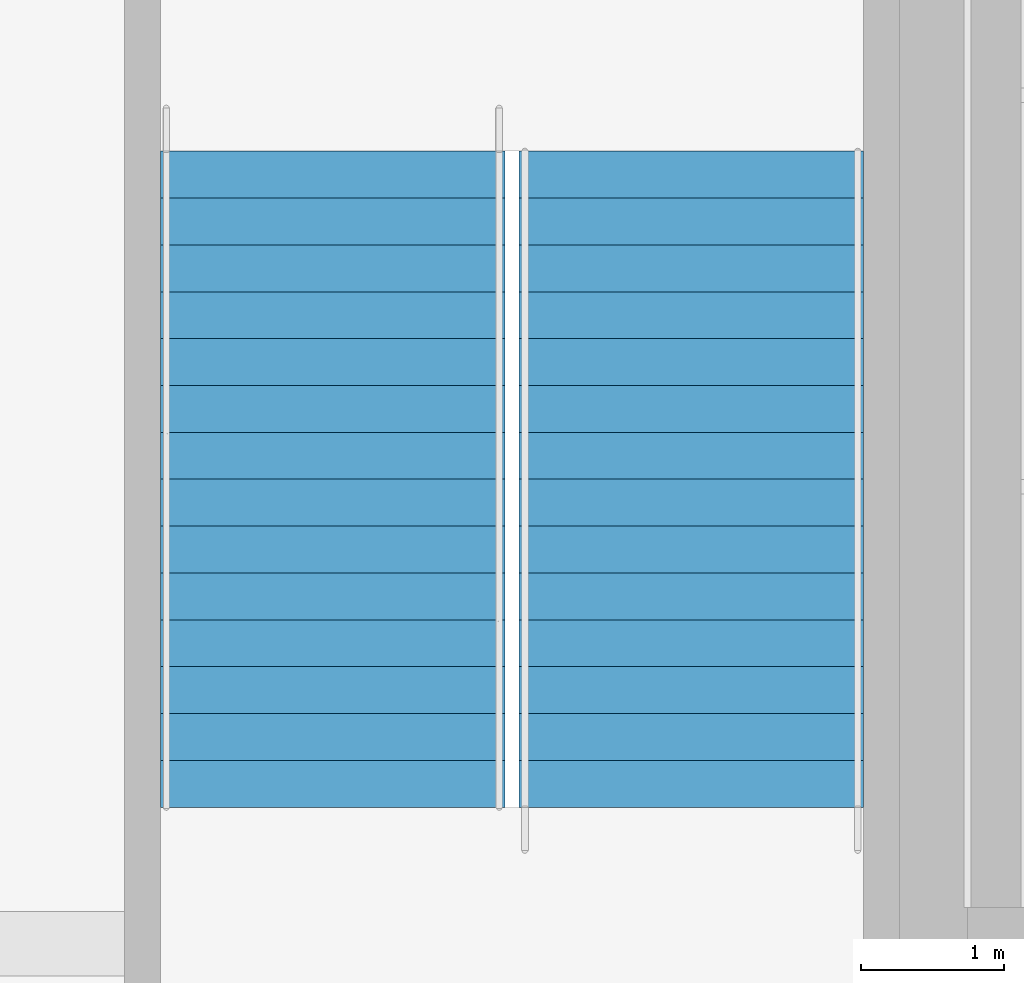
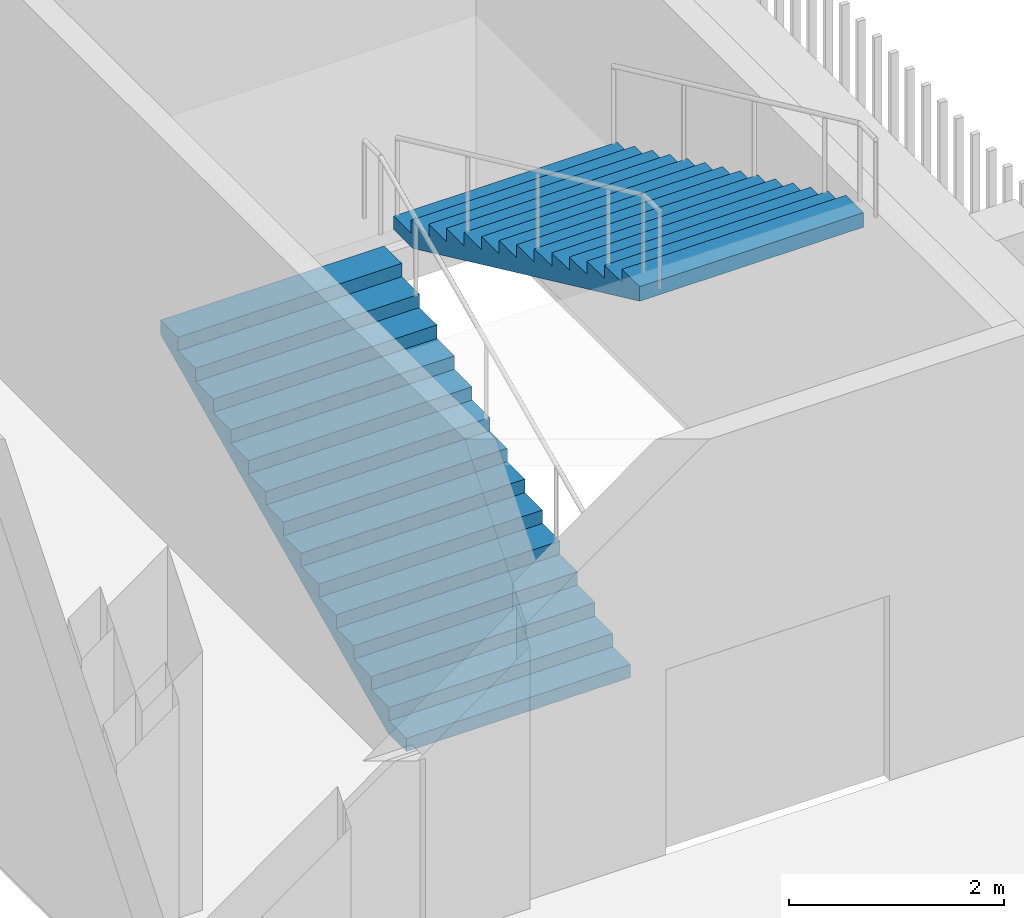
# One storey, part 71 of 104: 2 stair flights, 1 element without a shape of its own.
"""IFC4 building model written with IfcOpenShell, lengths in metres."""

from ifc_helpers import new_model, si_unit, direction, frame, origin, place, context, subcontext, project, spatial, polyline, outline, extrude, material, type_object, element, aggregate, save


model = new_model("IFC4")

# Units and contexts
model_context = context("Model", 3, precision=1e-05, world=origin(), true_north=direction((0.0, 1.0)))
body_context = subcontext(model_context, "Body", "Model", "MODEL_VIEW")
ifc_project = project(units=[si_unit("LENGTHUNIT", "METRE"), si_unit("AREAUNIT", "SQUARE_METRE"), si_unit("VOLUMEUNIT", "CUBIC_METRE"), si_unit("PLANEANGLEUNIT", "RADIAN"), si_unit("MASSUNIT", "GRAM", prefix="KILO")], contexts=[model_context])

# Site, building, storey
site_placement = place(None, origin())
site = spatial("IfcSite", under=ifc_project, at=site_placement, CompositionType="ELEMENT")
building_placement = place(site_placement, origin())
building = spatial("IfcBuilding", under=site, at=building_placement, Name="Shirokan Park Arena", CompositionType="ELEMENT")
storey_placement = place(building_placement, frame((0.0, 0.0, 10.919921875)))
storey = spatial("IfcBuildingStorey", under=building, at=storey_placement, Name="L02", CompositionType="ELEMENT", Elevation=10.919921875)

# Stair, stair flights
ifc_material = material(Name="Concrete C30 precast", Category="concrete")
stair_type = type_object("IfcStairType", Name="Stair 30 risers 152 x 327 2400 wide", PredefinedType="TWO_STRAIGHT_RUN_STAIR", material=ifc_material)
stair_placement = place(storey_placement, origin())
stair = element("IfcStair", 1, at=stair_placement, inside=storey, type_object=stair_type, Name="Exit Stair 3.A L02 to L03", PredefinedType="TWO_STRAIGHT_RUN_STAIR")
stair_flight_type = type_object("IfcStairFlightType", Name="Stair flight 15 risers 152 x 327 2400 wide", PredefinedType="STRAIGHT", material=ifc_material)
stair_flight_1_placement = place(storey_placement, frame((140.949951171875, 101.050048828125, 0.0), z_axis=(0.0, 0.0, 1.0), x_axis=(0.0, 1.0, 0.0)))
stair_flight_1 = element("IfcStairFlight", 2, at=stair_flight_1_placement, type_object=stair_flight_type, Name="ST16.3 flight 1", NumberOfRisers=15, NumberOfTreads=14, PredefinedType="STRAIGHT", RiserHeight=0.151666667, TreadLength=0.3267, context=body_context, shape_type="SweptSolid", body=[
    extrude(outline(polyline([(0.0, 0.0), (0.0, 0.151611328125), (0.32666015625, 0.151611328125), (0.32666015625, 0.30322265625), (0.6533203125, 0.30322265625), (0.6533203125, 0.455078125), (0.97998046875, 0.455078125), (0.97998046875, 0.606689453125), (1.306884765625, 0.606689453125), (1.306884765625, 0.75830078125), (1.633544921875, 0.75830078125), (1.633544921875, 0.909912109375), (1.960205078125, 0.909912109375), (1.960205078125, 1.061767578125), (2.286865234375, 1.061767578125), (2.286865234375, 1.21337890625), (2.613525390625, 1.21337890625), (2.613525390625, 1.364990234375), (2.940185546875, 1.364990234375), (2.940185546875, 1.5166015625), (3.26708984375, 1.5166015625), (3.26708984375, 1.668212890625), (3.59375, 1.668212890625), (3.59375, 1.820068359375), (3.92041015625, 1.820068359375), (3.92041015625, 1.9716796875), (4.2470703125, 1.9716796875), (4.2470703125, 2.123291015625), (4.57373046875, 2.123291015625), (4.57373046875, 2.27490234375), (4.57373046875, 1.9580078125), (0.35595703125, 0.0), (0.0, 0.0)])), frame((0.0, 1.199951171875, 0.0), z_axis=(0.0, -1.0, 0.0), x_axis=(1.0, 0.0, 0.0)), (0.0, 0.0, 1.0), 2.39990234375),
])
stair_flight_2_placement = place(storey_placement, frame((143.449951171875, 105.623779296875, 2.275146484375), z_axis=(0.0, 0.0, 1.0), x_axis=(0.0, -1.0, 0.0)))
stair_flight_2 = element("IfcStairFlight", 3, at=stair_flight_2_placement, type_object=stair_flight_type, Name="ST16.3 flight 2", NumberOfRisers=15, NumberOfTreads=14, PredefinedType="STRAIGHT", RiserHeight=0.151666667, TreadLength=0.3267, context=body_context, shape_type="SweptSolid", body=[
    extrude(outline(polyline([(0.0, 0.0), (0.0, 0.151611328125), (0.32666015625, 0.151611328125), (0.32666015625, 0.30322265625), (0.6533203125, 0.30322265625), (0.6533203125, 0.455078125), (0.97998046875, 0.455078125), (0.97998046875, 0.606689453125), (1.306884765625, 0.606689453125), (1.306884765625, 0.75830078125), (1.633544921875, 0.75830078125), (1.633544921875, 0.909912109375), (1.960205078125, 0.909912109375), (1.960205078125, 1.061767578125), (2.286865234375, 1.061767578125), (2.286865234375, 1.21337890625), (2.613525390625, 1.21337890625), (2.613525390625, 1.364990234375), (2.940185546875, 1.364990234375), (2.940185546875, 1.5166015625), (3.26708984375, 1.5166015625), (3.26708984375, 1.668212890625), (3.59375, 1.668212890625), (3.59375, 1.820068359375), (3.92041015625, 1.820068359375), (3.92041015625, 1.9716796875), (4.2470703125, 1.9716796875), (4.2470703125, 2.123291015625), (4.57373046875, 2.123291015625), (4.57373046875, 2.27490234375), (4.57373046875, 1.9580078125), (0.35595703125, 0.0), (0.0, 0.0)])), frame((0.0, 1.199951171875, 0.0), z_axis=(0.0, -1.0, 0.0), x_axis=(1.0, 0.0, 0.0)), (0.0, 0.0, 1.0), 2.39990234375),
])
aggregate(stair, [stair_flight_1, stair_flight_2])

save(model, "model.ifc")
